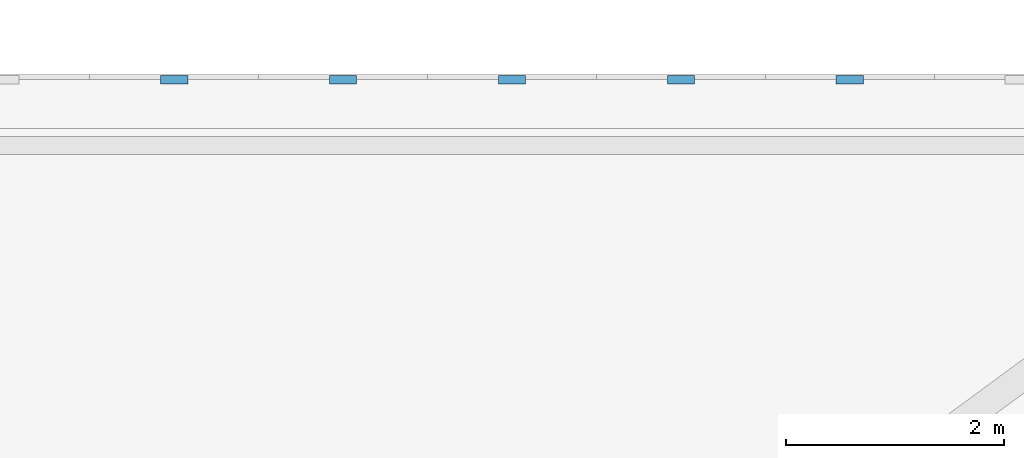
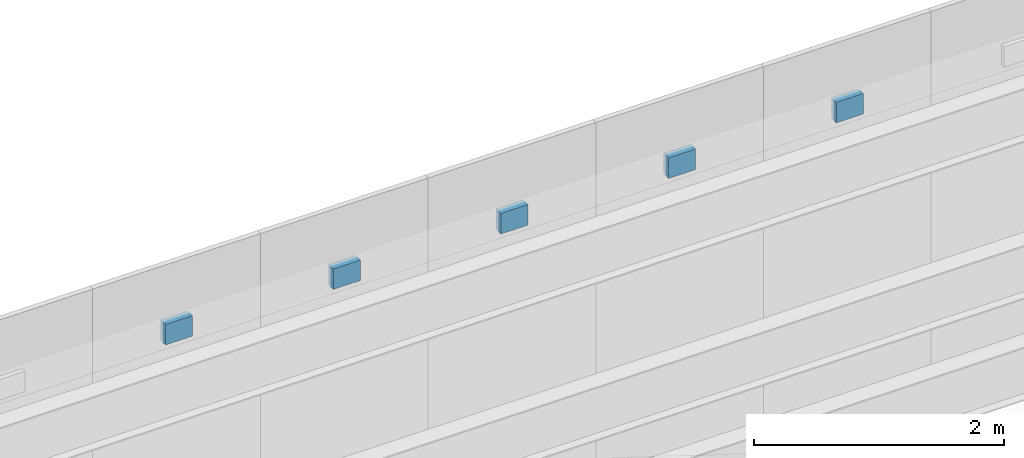
# One storey, part 238 of 278: 5 discrete accessories.
"""IFC4 building model written with IfcOpenShell, lengths in metres."""

from ifc_helpers import new_model, si_unit, direction, frame, origin, origin_2d, place, context, subcontext, project, spatial, rectangle, extrude, material, layer, layer_set, type_object, element, save


model = new_model("IFC4")

# Units and contexts
model_context = context("Model", 3, precision=1e-05, world=origin(), true_north=direction((0.0, 1.0)))
body_context = subcontext(model_context, "Body", "Model", "MODEL_VIEW")
ifc_project = project(units=[si_unit("LENGTHUNIT", "METRE"), si_unit("AREAUNIT", "SQUARE_METRE"), si_unit("VOLUMEUNIT", "CUBIC_METRE"), si_unit("PLANEANGLEUNIT", "RADIAN"), si_unit("MASSUNIT", "GRAM", prefix="KILO")], contexts=[model_context])

# Site, building, storey
site_placement = place(None, origin())
site = spatial("IfcSite", under=ifc_project, at=site_placement, CompositionType="ELEMENT")
building_placement = place(site_placement, origin())
building = spatial("IfcBuilding", under=site, at=building_placement, Name="Ogive Plaza Stadium", CompositionType="ELEMENT")
storey_placement = place(building_placement, frame((0.0, 0.0, 29.0)))
storey = spatial("IfcBuildingStorey", under=building, at=storey_placement, Name="Roof", CompositionType="ELEMENT", Elevation=29.0)

# Discrete accessories
ifc_material = material(Name="Steel ASTM A572 Grade 50", Category="steel")
ifc_layer = layer(ifc_material, 0.080078125)
ifc_layer_set = layer_set([ifc_layer], Name="Steel ASTM A572 Grade 50")
discrete_accessory_type = type_object("IfcDiscreteAccessoryType", Name="Tracery screen bracket 250x200", PredefinedType="BRACKET", material=ifc_layer_set)
for number, where, z_axis, x_axis, name in (
    (1, (-3.875, 103.102294921875, 5.25), (0.0, 0.0, 1.0), (1.0, 0.0, 0.0), "TRACERY SCREEN BRACKET B34 2"),
    (2, (-2.324951171875, 103.102294921875, 5.25), (0.0, 0.0, 1.0), (1.0, 0.0, 0.0), "TRACERY SCREEN BRACKET B34 3"),
    (3, (-0.77490234375, 103.102294921875, 5.25), (0.0, 0.0, 1.0), (1.0, 0.0, 0.0), "TRACERY SCREEN BRACKET B34 4"),
    (4, (0.77490234375, 103.102294921875, 5.25), (0.0, 0.0, 1.0), (1.0, 0.0, 0.0), "TRACERY SCREEN BRACKET B34 5"),
    (5, (2.324951171875, 103.102294921875, 5.25), (0.0, 0.0, 1.0), (1.0, 0.0, 0.0), "TRACERY SCREEN BRACKET B34 6"),
):
    element("IfcDiscreteAccessory", number, at=place(storey_placement, frame(where, z_axis=z_axis, x_axis=x_axis)), inside=storey, type_object=discrete_accessory_type, Name=name, PredefinedType="BRACKET", context=body_context, shape_type="SweptSolid", body=[
        extrude(rectangle(XDim=0.25, YDim=0.080078125, at=origin_2d()), origin(), (0.0, 0.0, 1.0), 0.199951171875),
    ])

save(model, "model.ifc")
